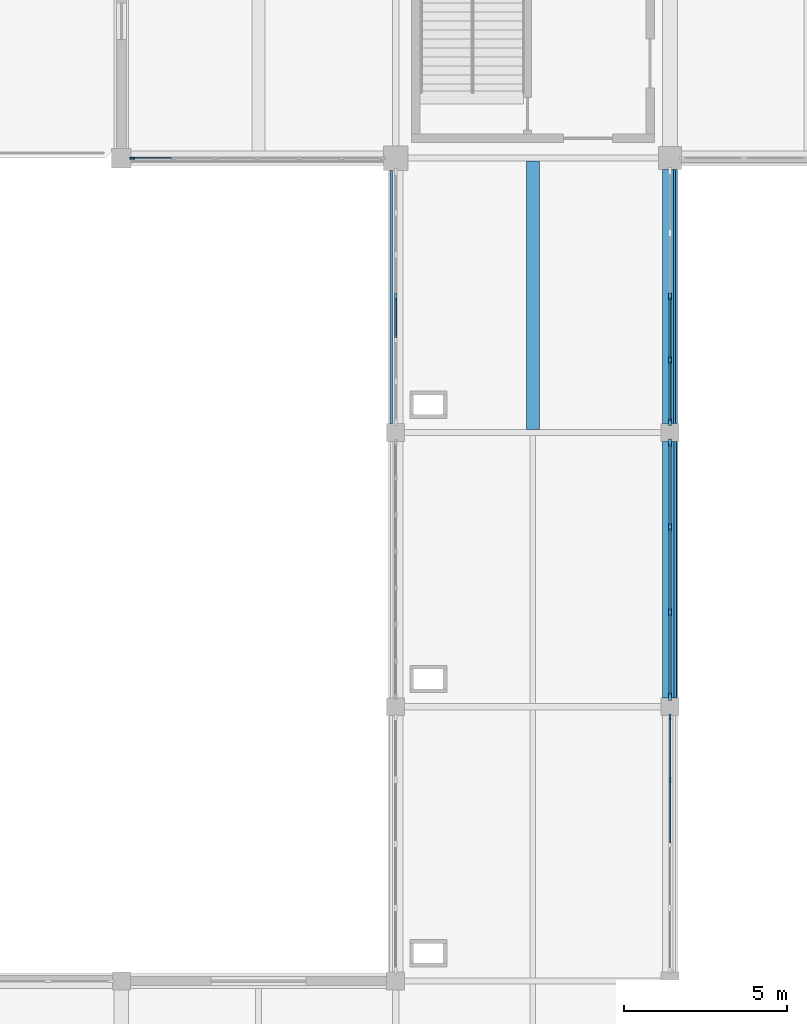
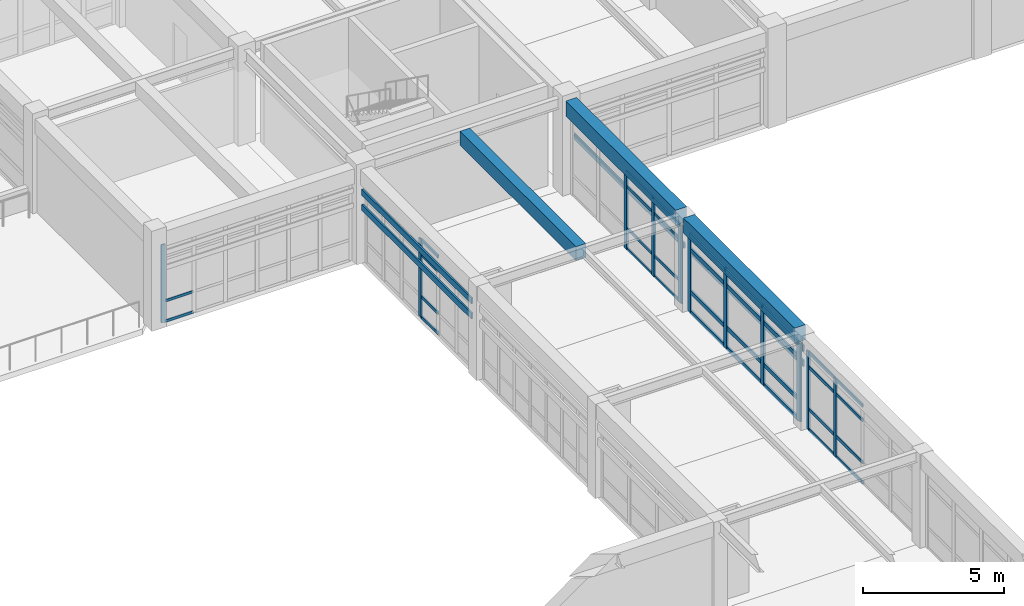
# One storey, part 10 of 40: 51 members, 3 beams, 5 elements without a shape of their own.
"""IFC4 building model written with IfcOpenShell, lengths in metres."""

from ifc_helpers import new_model, si_unit, direction, frame, origin, origin_2d, place, context, subcontext, project, spatial, rectangle, extrude, material, layer, layer_set, material_profile, profile_set, type_object, element, aggregate, save


model = new_model("IFC4")

# Units and contexts
model_context = context("Model", 3, precision=1e-05, world=origin(), true_north=direction((0.0, 1.0)))
body_context = subcontext(model_context, "Body", "Model", "MODEL_VIEW")
ifc_project = project(units=[si_unit("LENGTHUNIT", "METRE"), si_unit("AREAUNIT", "SQUARE_METRE"), si_unit("VOLUMEUNIT", "CUBIC_METRE"), si_unit("PLANEANGLEUNIT", "RADIAN"), si_unit("MASSUNIT", "GRAM", prefix="KILO")], contexts=[model_context])

# Site, building, storey
site_placement = place(None, origin())
site = spatial("IfcSite", under=ifc_project, at=site_placement, CompositionType="ELEMENT")
building_placement = place(site_placement, origin())
building = spatial("IfcBuilding", under=site, at=building_placement, Name="Porcellanite Civic Hall", CompositionType="ELEMENT")
storey_placement = place(building_placement, frame((0.0, 0.0, 19.080078125)))
storey = spatial("IfcBuildingStorey", under=building, at=storey_placement, Name="L04", CompositionType="ELEMENT", Elevation=19.080078125)

# Beams
ifc_material_1 = material(Name="Concrete N50 (50 MPa)", Category="concrete")
ifc_material_profile_1 = material_profile(ifc_material_1, rectangle(XDim=0.39990234375, YDim=0.60009765625, at=origin_2d()), Name="RC-400x600")
ifc_profile_set_1 = profile_set([ifc_material_profile_1], Name="Concrete N50 (50 MPa)")
beam_type_1 = type_object("IfcBeamType", Name="BM-RC600", PredefinedType="JOIST", material=ifc_profile_set_1)
beam_1_placement = place(storey_placement, frame((54.60009765625, 92.494384765625, 3.77001953125), z_axis=(0.0, 1.0, 0.0), x_axis=(-1.0, 0.0, 0.0)))
element("IfcBeam", 1, at=beam_1_placement, inside=storey, type_object=beam_type_1, Name="Secondary joist L04 7-12", PredefinedType="JOIST", context=body_context, shape_type="SweptSolid", body=[
    extrude(rectangle(XDim=0.39990234375, YDim=0.60009765625, at=origin_2d()), origin(), (0.0, 0.0, 1.0), 8.211181640625),
])
ifc_material_2 = material(Name="Concrete N50 (50 MPa)", Category="concrete")
ifc_material_profile_2 = material_profile(ifc_material_2, rectangle(XDim=0.449951171875, YDim=0.64990234375, at=origin_2d()), Name="RC-450x650")
ifc_profile_set_2 = profile_set([ifc_material_profile_2], Name="Concrete N50 (50 MPa)")
beam_type_2 = type_object("IfcBeamType", Name="BM-RC650", PredefinedType="SPANDREL", material=ifc_profile_set_2)
beam_2_placement = place(storey_placement, frame((58.800048828125, 84.2744140625, 3.744873046875), z_axis=(0.0, 1.0, 0.0), x_axis=(-1.0, 0.0, 0.0)))
element("IfcBeam", 2, at=beam_2_placement, inside=storey, type_object=beam_type_2, Name="Beam Y L04 8-11", PredefinedType="SPANDREL", context=body_context, shape_type="SweptSolid", body=[
    extrude(rectangle(XDim=0.449951171875, YDim=0.64990234375, at=origin_2d()), origin(), (0.0, 0.0, 1.0), 7.85107421875),
])
beam_3_placement = place(storey_placement, frame((58.800048828125, 92.674560546875, 3.744873046875), z_axis=(0.0, 1.0, 0.0), x_axis=(-1.0, 0.0, 0.0)))
element("IfcBeam", 3, at=beam_3_placement, inside=storey, type_object=beam_type_2, Name="Beam Y L04 8-12", PredefinedType="SPANDREL", context=body_context, shape_type="SweptSolid", body=[
    extrude(rectangle(XDim=0.449951171875, YDim=0.64990234375, at=origin_2d()), origin(), (0.0, 0.0, 1.0), 7.77587890625),
])

# Curtain wall, members
ifc_material_3 = material(Name="Anodised aluminium and solar laminated glass", Category="aluminium")
ifc_layer_1 = layer(ifc_material_3, 0.179931640625)
ifc_layer_set_1 = layer_set([ifc_layer_1], Name="Anodised aluminium and solar laminated glass")
curtain_wall_type_1 = type_object("IfcCurtainWallType", Name="CW-SYS08", PredefinedType="NOTDEFINED", material=ifc_layer_set_1)
curtain_wall_1_placement = place(storey_placement, origin())
curtain_wall_1 = element("IfcCurtainWall", 4, at=curtain_wall_1_placement, inside=storey, type_object=curtain_wall_type_1, Name="Curtain wall CW-244", PredefinedType="NOTDEFINED")
ifc_material_4 = material(Name="Anodised aluminium 6063-T6", Category="aluminium")
ifc_material_profile_3 = material_profile(ifc_material_4, rectangle(XDim=0.080078125, YDim=0.239990234375, at=origin_2d()), Name="AL-80x240")
ifc_profile_set_3 = profile_set([ifc_material_profile_3], Name="Anodised aluminium 6063-T6")
member_type_1 = type_object("IfcMemberType", Name="CWM-01", PredefinedType="MULLION", material=ifc_profile_set_3)
member_1_placement = place(storey_placement, frame((58.800048828125, 92.083984375, 0.0), z_axis=(0.0, 0.0, 1.0), x_axis=(1.0, 0.0, 0.0)))
member_1 = element("IfcMember", 5, at=member_1_placement, type_object=member_type_1, Name="CW-244 mullion 1", PredefinedType="MULLION", context=body_context, shape_type="SweptSolid", body=[
    extrude(rectangle(XDim=0.080078125, YDim=0.239990234375, at=origin_2d()), origin(), (0.0, 0.0, 1.0), 3.369873046875),
])
member_2_placement = place(storey_placement, frame((58.800048828125, 89.508056640625, 0.0), z_axis=(0.0, 0.0, 1.0), x_axis=(1.0, 0.0, 0.0)))
member_2 = element("IfcMember", 6, at=member_2_placement, type_object=member_type_1, Name="CW-244 mullion 2", PredefinedType="MULLION", context=body_context, shape_type="SweptSolid", body=[
    extrude(rectangle(XDim=0.080078125, YDim=0.239990234375, at=origin_2d()), origin(), (0.0, 0.0, 1.0), 3.369873046875),
])
member_3_placement = place(storey_placement, frame((58.800048828125, 86.89208984375, 0.0), z_axis=(0.0, 0.0, 1.0), x_axis=(1.0, 0.0, 0.0)))
member_3 = element("IfcMember", 7, at=member_3_placement, type_object=member_type_1, Name="CW-244 mullion 3", PredefinedType="MULLION", context=body_context, shape_type="SweptSolid", body=[
    extrude(rectangle(XDim=0.080078125, YDim=0.239990234375, at=origin_2d()), origin(), (0.0, 0.0, 1.0), 3.369873046875),
])
member_4_placement = place(storey_placement, frame((58.800048828125, 84.31591796875, 0.0), z_axis=(0.0, 0.0, 1.0), x_axis=(1.0, 0.0, 0.0)))
member_4 = element("IfcMember", 8, at=member_4_placement, type_object=member_type_1, Name="CW-244 mullion 4", PredefinedType="MULLION", context=body_context, shape_type="SweptSolid", body=[
    extrude(rectangle(XDim=0.080078125, YDim=0.239990234375, at=origin_2d()), origin(), (0.0, 0.0, 1.0), 3.369873046875),
])

ifc_material_5 = material(Name="Anodised aluminium and solar laminated glass", Category="aluminium")
ifc_layer_2 = layer(ifc_material_5, 0.179931640625)
ifc_layer_set_2 = layer_set([ifc_layer_2], Name="Anodised aluminium and solar laminated glass")
curtain_wall_type_2 = type_object("IfcCurtainWallType", Name="CW-SYS03", PredefinedType="NOTDEFINED", material=ifc_layer_set_2)
curtain_wall_2_placement = place(storey_placement, origin())
curtain_wall_2 = element("IfcCurtainWall", 9, at=curtain_wall_2_placement, inside=storey, type_object=curtain_wall_type_2, Name="Curtain wall CW-246", PredefinedType="NOTDEFINED")
ifc_material_6 = material(Name="Anodised aluminium 6063-T6", Category="aluminium")
ifc_material_profile_4 = material_profile(ifc_material_6, rectangle(XDim=0.080078125, YDim=0.2099609375, at=origin_2d()), Name="AL-80x210")
ifc_profile_set_4 = profile_set([ifc_material_profile_4], Name="Anodised aluminium 6063-T6")
member_type_2 = type_object("IfcMemberType", Name="CWM-02", PredefinedType="MULLION", material=ifc_profile_set_4)
member_5_placement = place(storey_placement, frame((58.800048828125, 96.5625, 0.0), z_axis=(0.0, 0.0, 1.0), x_axis=(1.0, 0.0, 0.0)))
member_5 = element("IfcMember", 10, at=member_5_placement, type_object=member_type_2, Name="CW-246 mullion 3", PredefinedType="MULLION", context=body_context, shape_type="SweptSolid", body=[
    extrude(rectangle(XDim=0.080078125, YDim=0.2099609375, at=origin_2d()), origin(), (0.0, 0.0, 1.0), 3.369873046875),
])
member_6_placement = place(storey_placement, frame((58.800048828125, 94.619140625, 0.0), z_axis=(0.0, 0.0, 1.0), x_axis=(1.0, 0.0, 0.0)))
member_6 = element("IfcMember", 11, at=member_6_placement, type_object=member_type_2, Name="CW-246 mullion 4", PredefinedType="MULLION", context=body_context, shape_type="SweptSolid", body=[
    extrude(rectangle(XDim=0.080078125, YDim=0.2099609375, at=origin_2d()), origin(), (0.0, 0.0, 1.0), 3.369873046875),
])
member_7_placement = place(storey_placement, frame((58.800048828125, 92.716064453125, 0.0), z_axis=(0.0, 0.0, 1.0), x_axis=(1.0, 0.0, 0.0)))
member_7 = element("IfcMember", 12, at=member_7_placement, type_object=member_type_2, Name="CW-246 mullion 5", PredefinedType="MULLION", context=body_context, shape_type="SweptSolid", body=[
    extrude(rectangle(XDim=0.080078125, YDim=0.2099609375, at=origin_2d()), origin(), (0.0, 0.0, 1.0), 3.369873046875),
])

# Curtain wall, member
ifc_material_7 = material(Name="Anodised aluminium and solar laminated glass", Category="aluminium")
ifc_layer_3 = layer(ifc_material_7, 0.179931640625)
ifc_layer_set_3 = layer_set([ifc_layer_3], Name="Anodised aluminium and solar laminated glass")
curtain_wall_type_3 = type_object("IfcCurtainWallType", Name="CW-SYS01", PredefinedType="NOTDEFINED", material=ifc_layer_set_3)
curtain_wall_3_placement = place(storey_placement, origin())
curtain_wall_3 = element("IfcCurtainWall", 13, at=curtain_wall_3_placement, inside=storey, type_object=curtain_wall_type_3, Name="Curtain wall CW-245", PredefinedType="NOTDEFINED")
ifc_material_8 = material(Name="Anodised aluminium 6063-T6", Category="aluminium")
ifc_material_profile_5 = material_profile(ifc_material_8, rectangle(XDim=0.070068359375, YDim=0.199951171875, at=origin_2d()), Name="AL-70x200")
ifc_profile_set_5 = profile_set([ifc_material_profile_5], Name="Anodised aluminium 6063-T6")
member_type_3 = type_object("IfcMemberType", Name="CWM-05", PredefinedType="MULLION", material=ifc_profile_set_5)
member_8_placement = place(storey_placement, frame((50.39990234375, 96.550048828125, 0.0), z_axis=(0.0, 0.0, 1.0), x_axis=(-1.0, 0.0, 0.0)))
member_8 = element("IfcMember", 14, at=member_8_placement, type_object=member_type_3, Name="CW-245 mullion 4", PredefinedType="MULLION", context=body_context, shape_type="SweptSolid", body=[
    extrude(rectangle(XDim=0.070068359375, YDim=0.199951171875, at=origin_2d()), origin(), (0.0, 0.0, 1.0), 3.369873046875),
])

# Curtain wall, members
ifc_material_9 = material(Name="Anodised aluminium and solar laminated glass", Category="aluminium")
ifc_layer_4 = layer(ifc_material_9, 0.179931640625)
ifc_layer_set_4 = layer_set([ifc_layer_4], Name="Anodised aluminium and solar laminated glass")
curtain_wall_type_4 = type_object("IfcCurtainWallType", Name="CW-SYS06", PredefinedType="NOTDEFINED", material=ifc_layer_set_4)
curtain_wall_4_placement = place(storey_placement, origin())
curtain_wall_4 = element("IfcCurtainWall", 15, at=curtain_wall_4_placement, inside=storey, type_object=curtain_wall_type_4, Name="Curtain wall CW-242", PredefinedType="NOTDEFINED")
ifc_material_10 = material(Name="Anodised aluminium 6063-T6", Category="aluminium")
ifc_material_profile_6 = material_profile(ifc_material_10, rectangle(XDim=0.06494140625, YDim=0.179931640625, at=origin_2d()), Name="AL-65x180")
ifc_profile_set_6 = profile_set([ifc_material_profile_6], Name="Anodised aluminium 6063-T6")
member_type_4 = type_object("IfcMemberType", Name="CWM-06", PredefinedType="MULLION", material=ifc_profile_set_6)
member_9_placement = place(storey_placement, frame((58.800048828125, 83.69140625, 0.0), z_axis=(0.0, 0.0, 1.0), x_axis=(1.0, 0.0, 0.0)))
member_9 = element("IfcMember", 16, at=member_9_placement, type_object=member_type_4, Name="CW-242 mullion 1", PredefinedType="MULLION", context=body_context, shape_type="SweptSolid", body=[
    extrude(rectangle(XDim=0.06494140625, YDim=0.179931640625, at=origin_2d()), origin(), (0.0, 0.0, 1.0), 3.369873046875),
])
member_10_placement = place(storey_placement, frame((58.800048828125, 81.761962890625, 0.0), z_axis=(0.0, 0.0, 1.0), x_axis=(1.0, 0.0, 0.0)))
member_10 = element("IfcMember", 17, at=member_10_placement, type_object=member_type_4, Name="CW-242 mullion 2", PredefinedType="MULLION", context=body_context, shape_type="SweptSolid", body=[
    extrude(rectangle(XDim=0.06494140625, YDim=0.179931640625, at=origin_2d()), origin(), (0.0, 0.0, 1.0), 3.369873046875),
])

# Curtain wall, member
ifc_material_11 = material(Name="Anodised aluminium and solar laminated glass", Category="aluminium")
ifc_layer_5 = layer(ifc_material_11, 0.179931640625)
ifc_layer_set_5 = layer_set([ifc_layer_5], Name="Anodised aluminium and solar laminated glass")
curtain_wall_type_5 = type_object("IfcCurtainWallType", Name="CW-SYS07", PredefinedType="NOTDEFINED", material=ifc_layer_set_5)
curtain_wall_5_placement = place(storey_placement, origin())
curtain_wall_5 = element("IfcCurtainWall", 18, at=curtain_wall_5_placement, inside=storey, type_object=curtain_wall_type_5, Name="Curtain wall CW-237", PredefinedType="NOTDEFINED")
ifc_material_12 = material(Name="Anodised aluminium 6063-T6", Category="aluminium")
ifc_material_profile_7 = material_profile(ifc_material_12, rectangle(XDim=0.06005859375, YDim=0.159912109375, at=origin_2d()), Name="AL-60x160")
ifc_profile_set_7 = profile_set([ifc_material_profile_7], Name="Anodised aluminium 6063-T6")
member_type_5 = type_object("IfcMemberType", Name="CWM-07", PredefinedType="MULLION", material=ifc_profile_set_7)
member_11_placement = place(storey_placement, frame((42.3310546875, 100.800048828125, 0.0), z_axis=(0.0, 0.0, 1.0), x_axis=(0.0, -1.0, 0.0)))
member_11 = element("IfcMember", 19, at=member_11_placement, type_object=member_type_5, Name="CW-237 mullion 7", PredefinedType="MULLION", context=body_context, shape_type="SweptSolid", body=[
    extrude(rectangle(XDim=0.06005859375, YDim=0.159912109375, at=origin_2d()), origin(), (0.0, 0.0, 1.0), 3.369873046875),
])

# Member
ifc_material_13 = material(Name="Anodised aluminium 6063-T6", Category="aluminium")
ifc_material_profile_8 = material_profile(ifc_material_13, rectangle(XDim=0.070068359375, YDim=0.175048828125, at=origin_2d()), Name="AL-70x175")
ifc_profile_set_8 = profile_set([ifc_material_profile_8], Name="Anodised aluminium 6063-T6")
member_type_6 = type_object("IfcMemberType", Name="CWT-01", PredefinedType="USERDEFINED", material=ifc_profile_set_8)
member_12_placement = place(storey_placement, frame((58.800048828125, 92.0439453125, 0.034912109375), z_axis=(0.0, -1.0, 0.0), x_axis=(1.0, 0.0, 0.0)))
member_12 = element("IfcMember", 20, at=member_12_placement, type_object=member_type_6, Name="CW-244 transom 1.1", ObjectType="TRANSOM", PredefinedType="USERDEFINED", context=body_context, shape_type="SweptSolid", body=[
    extrude(rectangle(XDim=0.070068359375, YDim=0.175048828125, at=origin_2d()), origin(), (0.0, 0.0, 1.0), 2.495849609375),
])

member_13_placement = place(storey_placement, frame((58.800048828125, 92.0439453125, 0.89990234375), z_axis=(0.0, -1.0, 0.0), x_axis=(1.0, 0.0, 0.0)))
member_13 = element("IfcMember", 21, at=member_13_placement, type_object=member_type_6, Name="CW-244 transom 1.2", ObjectType="TRANSOM", PredefinedType="USERDEFINED", context=body_context, shape_type="SweptSolid", body=[
    extrude(rectangle(XDim=0.070068359375, YDim=0.175048828125, at=origin_2d()), origin(), (0.0, 0.0, 1.0), 2.495849609375),
])

member_14_placement = place(storey_placement, frame((58.800048828125, 92.0439453125, 2.719970703125), z_axis=(0.0, -1.0, 0.0), x_axis=(1.0, 0.0, 0.0)))
member_14 = element("IfcMember", 22, at=member_14_placement, type_object=member_type_6, Name="CW-244 transom 1.3", ObjectType="TRANSOM", PredefinedType="USERDEFINED", context=body_context, shape_type="SweptSolid", body=[
    extrude(rectangle(XDim=0.070068359375, YDim=0.175048828125, at=origin_2d()), origin(), (0.0, 0.0, 1.0), 2.495849609375),
])

member_15_placement = place(storey_placement, frame((58.800048828125, 92.0439453125, 3.3349609375), z_axis=(0.0, -1.0, 0.0), x_axis=(1.0, 0.0, 0.0)))
member_15 = element("IfcMember", 23, at=member_15_placement, type_object=member_type_6, Name="CW-244 transom 1.4", ObjectType="TRANSOM", PredefinedType="USERDEFINED", context=body_context, shape_type="SweptSolid", body=[
    extrude(rectangle(XDim=0.070068359375, YDim=0.175048828125, at=origin_2d()), origin(), (0.0, 0.0, 1.0), 2.495849609375),
])

member_16_placement = place(storey_placement, frame((58.800048828125, 89.468017578125, 0.034912109375), z_axis=(0.0, -1.0, 0.0), x_axis=(1.0, 0.0, 0.0)))
member_16 = element("IfcMember", 24, at=member_16_placement, type_object=member_type_6, Name="CW-244 transom 2.1", ObjectType="TRANSOM", PredefinedType="USERDEFINED", context=body_context, shape_type="SweptSolid", body=[
    extrude(rectangle(XDim=0.070068359375, YDim=0.175048828125, at=origin_2d()), origin(), (0.0, 0.0, 1.0), 2.5361328125),
])

member_17_placement = place(storey_placement, frame((58.800048828125, 89.468017578125, 0.89990234375), z_axis=(0.0, -1.0, 0.0), x_axis=(1.0, 0.0, 0.0)))
member_17 = element("IfcMember", 25, at=member_17_placement, type_object=member_type_6, Name="CW-244 transom 2.2", ObjectType="TRANSOM", PredefinedType="USERDEFINED", context=body_context, shape_type="SweptSolid", body=[
    extrude(rectangle(XDim=0.070068359375, YDim=0.175048828125, at=origin_2d()), origin(), (0.0, 0.0, 1.0), 2.5361328125),
])

member_18_placement = place(storey_placement, frame((58.800048828125, 89.468017578125, 2.719970703125), z_axis=(0.0, -1.0, 0.0), x_axis=(1.0, 0.0, 0.0)))
member_18 = element("IfcMember", 26, at=member_18_placement, type_object=member_type_6, Name="CW-244 transom 2.3", ObjectType="TRANSOM", PredefinedType="USERDEFINED", context=body_context, shape_type="SweptSolid", body=[
    extrude(rectangle(XDim=0.070068359375, YDim=0.175048828125, at=origin_2d()), origin(), (0.0, 0.0, 1.0), 2.5361328125),
])

member_19_placement = place(storey_placement, frame((58.800048828125, 89.468017578125, 3.3349609375), z_axis=(0.0, -1.0, 0.0), x_axis=(1.0, 0.0, 0.0)))
member_19 = element("IfcMember", 27, at=member_19_placement, type_object=member_type_6, Name="CW-244 transom 2.4", ObjectType="TRANSOM", PredefinedType="USERDEFINED", context=body_context, shape_type="SweptSolid", body=[
    extrude(rectangle(XDim=0.070068359375, YDim=0.175048828125, at=origin_2d()), origin(), (0.0, 0.0, 1.0), 2.5361328125),
])

member_20_placement = place(storey_placement, frame((58.800048828125, 86.85205078125, 0.034912109375), z_axis=(0.0, -1.0, 0.0), x_axis=(1.0, 0.0, 0.0)))
member_20 = element("IfcMember", 28, at=member_20_placement, type_object=member_type_6, Name="CW-244 transom 3.1", ObjectType="TRANSOM", PredefinedType="USERDEFINED", context=body_context, shape_type="SweptSolid", body=[
    extrude(rectangle(XDim=0.070068359375, YDim=0.175048828125, at=origin_2d()), origin(), (0.0, 0.0, 1.0), 2.49609375),
])

member_21_placement = place(storey_placement, frame((58.800048828125, 86.85205078125, 0.89990234375), z_axis=(0.0, -1.0, 0.0), x_axis=(1.0, 0.0, 0.0)))
member_21 = element("IfcMember", 29, at=member_21_placement, type_object=member_type_6, Name="CW-244 transom 3.2", ObjectType="TRANSOM", PredefinedType="USERDEFINED", context=body_context, shape_type="SweptSolid", body=[
    extrude(rectangle(XDim=0.070068359375, YDim=0.175048828125, at=origin_2d()), origin(), (0.0, 0.0, 1.0), 2.49609375),
])

member_22_placement = place(storey_placement, frame((58.800048828125, 86.85205078125, 2.719970703125), z_axis=(0.0, -1.0, 0.0), x_axis=(1.0, 0.0, 0.0)))
member_22 = element("IfcMember", 30, at=member_22_placement, type_object=member_type_6, Name="CW-244 transom 3.3", ObjectType="TRANSOM", PredefinedType="USERDEFINED", context=body_context, shape_type="SweptSolid", body=[
    extrude(rectangle(XDim=0.070068359375, YDim=0.175048828125, at=origin_2d()), origin(), (0.0, 0.0, 1.0), 2.49609375),
])

member_23_placement = place(storey_placement, frame((58.800048828125, 86.85205078125, 3.3349609375), z_axis=(0.0, -1.0, 0.0), x_axis=(1.0, 0.0, 0.0)))
member_23 = element("IfcMember", 31, at=member_23_placement, type_object=member_type_6, Name="CW-244 transom 3.4", ObjectType="TRANSOM", PredefinedType="USERDEFINED", context=body_context, shape_type="SweptSolid", body=[
    extrude(rectangle(XDim=0.070068359375, YDim=0.175048828125, at=origin_2d()), origin(), (0.0, 0.0, 1.0), 2.49609375),
])

aggregate(curtain_wall_1, [member_1, member_2, member_3, member_4, member_12, member_13, member_14, member_15, member_16, member_17, member_18, member_19, member_20, member_21, member_22, member_23])

ifc_material_14 = material(Name="Anodised aluminium 6063-T6", Category="aluminium")
ifc_material_profile_9 = material_profile(ifc_material_14, rectangle(XDim=0.06005859375, YDim=0.1298828125, at=origin_2d()), Name="AL-60x130")
ifc_profile_set_9 = profile_set([ifc_material_profile_9], Name="Anodised aluminium 6063-T6")
member_type_7 = type_object("IfcMemberType", Name="CWT-03", PredefinedType="USERDEFINED", material=ifc_profile_set_9)
member_24_placement = place(storey_placement, frame((50.39990234375, 95.293701171875, 0.030029296875), z_axis=(0.0, 1.0, 0.0), x_axis=(-1.0, 0.0, 0.0)))
member_24 = element("IfcMember", 32, at=member_24_placement, type_object=member_type_7, Name="CW-245 transom 3.1", ObjectType="TRANSOM", PredefinedType="USERDEFINED", context=body_context, shape_type="SweptSolid", body=[
    extrude(rectangle(XDim=0.06005859375, YDim=0.1298828125, at=origin_2d()), origin(), (0.0, 0.0, 1.0), 1.22119140625),
])

member_25_placement = place(storey_placement, frame((50.39990234375, 95.293701171875, 0.89990234375), z_axis=(0.0, 1.0, 0.0), x_axis=(-1.0, 0.0, 0.0)))
member_25 = element("IfcMember", 33, at=member_25_placement, type_object=member_type_7, Name="CW-245 transom 3.2", ObjectType="TRANSOM", PredefinedType="USERDEFINED", context=body_context, shape_type="SweptSolid", body=[
    extrude(rectangle(XDim=0.06005859375, YDim=0.1298828125, at=origin_2d()), origin(), (0.0, 0.0, 1.0), 1.22119140625),
])

member_26_placement = place(storey_placement, frame((50.39990234375, 95.293701171875, 2.719970703125), z_axis=(0.0, 1.0, 0.0), x_axis=(-1.0, 0.0, 0.0)))
member_26 = element("IfcMember", 34, at=member_26_placement, type_object=member_type_7, Name="CW-245 transom 3.3", ObjectType="TRANSOM", PredefinedType="USERDEFINED", context=body_context, shape_type="SweptSolid", body=[
    extrude(rectangle(XDim=0.06005859375, YDim=0.1298828125, at=origin_2d()), origin(), (0.0, 0.0, 1.0), 1.22119140625),
])

member_27_placement = place(storey_placement, frame((50.39990234375, 95.293701171875, 3.33984375), z_axis=(0.0, 1.0, 0.0), x_axis=(-1.0, 0.0, 0.0)))
member_27 = element("IfcMember", 35, at=member_27_placement, type_object=member_type_7, Name="CW-245 transom 3.4", ObjectType="TRANSOM", PredefinedType="USERDEFINED", context=body_context, shape_type="SweptSolid", body=[
    extrude(rectangle(XDim=0.06005859375, YDim=0.1298828125, at=origin_2d()), origin(), (0.0, 0.0, 1.0), 1.22119140625),
])

aggregate(curtain_wall_3, [member_8, member_24, member_25, member_26, member_27])

ifc_material_15 = material(Name="Anodised aluminium 6063-T6", Category="aluminium")
ifc_material_profile_10 = material_profile(ifc_material_15, rectangle(XDim=0.054931640625, YDim=0.1201171875, at=origin_2d()), Name="AL-55x120")
ifc_profile_set_10 = profile_set([ifc_material_profile_10], Name="Anodised aluminium 6063-T6")
member_type_8 = type_object("IfcMemberType", Name="CWT-04", PredefinedType="USERDEFINED", material=ifc_profile_set_10)
member_28_placement = place(storey_placement, frame((58.800048828125, 96.5224609375, 0.02734375), z_axis=(0.0, -1.0, 0.0), x_axis=(1.0, 0.0, 0.0)))
member_28 = element("IfcMember", 36, at=member_28_placement, type_object=member_type_8, Name="CW-246 transom 3.1", ObjectType="TRANSOM", PredefinedType="USERDEFINED", context=body_context, shape_type="SweptSolid", body=[
    extrude(rectangle(XDim=0.054931640625, YDim=0.1201171875, at=origin_2d()), origin(), (0.0, 0.0, 1.0), 1.86328125),
])

member_29_placement = place(storey_placement, frame((58.800048828125, 96.5224609375, 0.89990234375), z_axis=(0.0, -1.0, 0.0), x_axis=(1.0, 0.0, 0.0)))
member_29 = element("IfcMember", 37, at=member_29_placement, type_object=member_type_8, Name="CW-246 transom 3.2", ObjectType="TRANSOM", PredefinedType="USERDEFINED", context=body_context, shape_type="SweptSolid", body=[
    extrude(rectangle(XDim=0.054931640625, YDim=0.1201171875, at=origin_2d()), origin(), (0.0, 0.0, 1.0), 1.86328125),
])

member_30_placement = place(storey_placement, frame((58.800048828125, 96.5224609375, 2.719970703125), z_axis=(0.0, -1.0, 0.0), x_axis=(1.0, 0.0, 0.0)))
member_30 = element("IfcMember", 38, at=member_30_placement, type_object=member_type_8, Name="CW-246 transom 3.3", ObjectType="TRANSOM", PredefinedType="USERDEFINED", context=body_context, shape_type="SweptSolid", body=[
    extrude(rectangle(XDim=0.054931640625, YDim=0.1201171875, at=origin_2d()), origin(), (0.0, 0.0, 1.0), 1.86328125),
])

member_31_placement = place(storey_placement, frame((58.800048828125, 96.5224609375, 3.342529296875), z_axis=(0.0, -1.0, 0.0), x_axis=(1.0, 0.0, 0.0)))
member_31 = element("IfcMember", 39, at=member_31_placement, type_object=member_type_8, Name="CW-246 transom 3.4", ObjectType="TRANSOM", PredefinedType="USERDEFINED", context=body_context, shape_type="SweptSolid", body=[
    extrude(rectangle(XDim=0.054931640625, YDim=0.1201171875, at=origin_2d()), origin(), (0.0, 0.0, 1.0), 1.86328125),
])

member_32_placement = place(storey_placement, frame((58.800048828125, 94.579345703125, 0.02734375), z_axis=(0.0, -1.0, 0.0), x_axis=(1.0, 0.0, 0.0)))
member_32 = element("IfcMember", 40, at=member_32_placement, type_object=member_type_8, Name="CW-246 transom 4.1", ObjectType="TRANSOM", PredefinedType="USERDEFINED", context=body_context, shape_type="SweptSolid", body=[
    extrude(rectangle(XDim=0.054931640625, YDim=0.1201171875, at=origin_2d()), origin(), (0.0, 0.0, 1.0), 1.8232421875),
])

member_33_placement = place(storey_placement, frame((58.800048828125, 94.579345703125, 0.89990234375), z_axis=(0.0, -1.0, 0.0), x_axis=(1.0, 0.0, 0.0)))
member_33 = element("IfcMember", 41, at=member_33_placement, type_object=member_type_8, Name="CW-246 transom 4.2", ObjectType="TRANSOM", PredefinedType="USERDEFINED", context=body_context, shape_type="SweptSolid", body=[
    extrude(rectangle(XDim=0.054931640625, YDim=0.1201171875, at=origin_2d()), origin(), (0.0, 0.0, 1.0), 1.8232421875),
])

member_34_placement = place(storey_placement, frame((58.800048828125, 94.579345703125, 2.719970703125), z_axis=(0.0, -1.0, 0.0), x_axis=(1.0, 0.0, 0.0)))
member_34 = element("IfcMember", 42, at=member_34_placement, type_object=member_type_8, Name="CW-246 transom 4.3", ObjectType="TRANSOM", PredefinedType="USERDEFINED", context=body_context, shape_type="SweptSolid", body=[
    extrude(rectangle(XDim=0.054931640625, YDim=0.1201171875, at=origin_2d()), origin(), (0.0, 0.0, 1.0), 1.8232421875),
])

member_35_placement = place(storey_placement, frame((58.800048828125, 94.579345703125, 3.342529296875), z_axis=(0.0, -1.0, 0.0), x_axis=(1.0, 0.0, 0.0)))
member_35 = element("IfcMember", 43, at=member_35_placement, type_object=member_type_8, Name="CW-246 transom 4.4", ObjectType="TRANSOM", PredefinedType="USERDEFINED", context=body_context, shape_type="SweptSolid", body=[
    extrude(rectangle(XDim=0.054931640625, YDim=0.1201171875, at=origin_2d()), origin(), (0.0, 0.0, 1.0), 1.8232421875),
])

aggregate(curtain_wall_2, [member_5, member_6, member_7, member_28, member_29, member_30, member_31, member_32, member_33, member_34, member_35])

ifc_material_16 = material(Name="Anodised aluminium 6063-T6", Category="aluminium")
ifc_material_profile_11 = material_profile(ifc_material_16, rectangle(XDim=0.050048828125, YDim=0.139892578125, at=origin_2d()), Name="AL-50x140")
ifc_profile_set_11 = profile_set([ifc_material_profile_11], Name="Anodised aluminium 6063-T6")
member_type_9 = type_object("IfcMemberType", Name="CWT-06", PredefinedType="USERDEFINED", material=ifc_profile_set_11)
member_36_placement = place(storey_placement, frame((58.800048828125, 83.658935546875, 0.02490234375), z_axis=(0.0, -1.0, 0.0), x_axis=(1.0, 0.0, 0.0)))
member_36 = element("IfcMember", 44, at=member_36_placement, type_object=member_type_9, Name="CW-242 transom 1.1", ObjectType="TRANSOM", PredefinedType="USERDEFINED", context=body_context, shape_type="SweptSolid", body=[
    extrude(rectangle(XDim=0.050048828125, YDim=0.139892578125, at=origin_2d()), origin(), (0.0, 0.0, 1.0), 1.864501953125),
])

member_37_placement = place(storey_placement, frame((58.800048828125, 83.658935546875, 0.89990234375), z_axis=(0.0, -1.0, 0.0), x_axis=(1.0, 0.0, 0.0)))
member_37 = element("IfcMember", 45, at=member_37_placement, type_object=member_type_9, Name="CW-242 transom 1.2", ObjectType="TRANSOM", PredefinedType="USERDEFINED", context=body_context, shape_type="SweptSolid", body=[
    extrude(rectangle(XDim=0.050048828125, YDim=0.139892578125, at=origin_2d()), origin(), (0.0, 0.0, 1.0), 1.864501953125),
])

member_38_placement = place(storey_placement, frame((58.800048828125, 83.658935546875, 2.719970703125), z_axis=(0.0, -1.0, 0.0), x_axis=(1.0, 0.0, 0.0)))
member_38 = element("IfcMember", 46, at=member_38_placement, type_object=member_type_9, Name="CW-242 transom 1.3", ObjectType="TRANSOM", PredefinedType="USERDEFINED", context=body_context, shape_type="SweptSolid", body=[
    extrude(rectangle(XDim=0.050048828125, YDim=0.139892578125, at=origin_2d()), origin(), (0.0, 0.0, 1.0), 1.864501953125),
])

member_39_placement = place(storey_placement, frame((58.800048828125, 83.658935546875, 3.344970703125), z_axis=(0.0, -1.0, 0.0), x_axis=(1.0, 0.0, 0.0)))
member_39 = element("IfcMember", 47, at=member_39_placement, type_object=member_type_9, Name="CW-242 transom 1.4", ObjectType="TRANSOM", PredefinedType="USERDEFINED", context=body_context, shape_type="SweptSolid", body=[
    extrude(rectangle(XDim=0.050048828125, YDim=0.139892578125, at=origin_2d()), origin(), (0.0, 0.0, 1.0), 1.864501953125),
])

member_40_placement = place(storey_placement, frame((58.800048828125, 81.7294921875, 0.02490234375), z_axis=(0.0, -1.0, 0.0), x_axis=(1.0, 0.0, 0.0)))
member_40 = element("IfcMember", 48, at=member_40_placement, type_object=member_type_9, Name="CW-242 transom 2.1", ObjectType="TRANSOM", PredefinedType="USERDEFINED", context=body_context, shape_type="SweptSolid", body=[
    extrude(rectangle(XDim=0.050048828125, YDim=0.139892578125, at=origin_2d()), origin(), (0.0, 0.0, 1.0), 1.89697265625),
])

member_41_placement = place(storey_placement, frame((58.800048828125, 81.7294921875, 0.89990234375), z_axis=(0.0, -1.0, 0.0), x_axis=(1.0, 0.0, 0.0)))
member_41 = element("IfcMember", 49, at=member_41_placement, type_object=member_type_9, Name="CW-242 transom 2.2", ObjectType="TRANSOM", PredefinedType="USERDEFINED", context=body_context, shape_type="SweptSolid", body=[
    extrude(rectangle(XDim=0.050048828125, YDim=0.139892578125, at=origin_2d()), origin(), (0.0, 0.0, 1.0), 1.89697265625),
])

member_42_placement = place(storey_placement, frame((58.800048828125, 81.7294921875, 2.719970703125), z_axis=(0.0, -1.0, 0.0), x_axis=(1.0, 0.0, 0.0)))
member_42 = element("IfcMember", 50, at=member_42_placement, type_object=member_type_9, Name="CW-242 transom 2.3", ObjectType="TRANSOM", PredefinedType="USERDEFINED", context=body_context, shape_type="SweptSolid", body=[
    extrude(rectangle(XDim=0.050048828125, YDim=0.139892578125, at=origin_2d()), origin(), (0.0, 0.0, 1.0), 1.89697265625),
])

member_43_placement = place(storey_placement, frame((58.800048828125, 81.7294921875, 3.344970703125), z_axis=(0.0, -1.0, 0.0), x_axis=(1.0, 0.0, 0.0)))
member_43 = element("IfcMember", 51, at=member_43_placement, type_object=member_type_9, Name="CW-242 transom 2.4", ObjectType="TRANSOM", PredefinedType="USERDEFINED", context=body_context, shape_type="SweptSolid", body=[
    extrude(rectangle(XDim=0.050048828125, YDim=0.139892578125, at=origin_2d()), origin(), (0.0, 0.0, 1.0), 1.89697265625),
])

aggregate(curtain_wall_4, [member_9, member_10, member_36, member_37, member_38, member_39, member_40, member_41, member_42, member_43])

ifc_material_17 = material(Name="Anodised aluminium 6063-T6", Category="aluminium")
ifc_material_profile_12 = material_profile(ifc_material_17, rectangle(XDim=0.050048828125, YDim=0.110107421875, at=origin_2d()), Name="AL-50x110")
ifc_profile_set_12 = profile_set([ifc_material_profile_12], Name="Anodised aluminium 6063-T6")
member_type_10 = type_object("IfcMemberType", Name="CWT-07", PredefinedType="USERDEFINED", material=ifc_profile_set_12)
member_44_placement = place(storey_placement, frame((43.55810546875, 100.800048828125, 0.02490234375), z_axis=(-1.0, 0.0, 0.0), x_axis=(0.0, -1.0, 0.0)))
member_44 = element("IfcMember", 52, at=member_44_placement, type_object=member_type_10, Name="CW-237 transom 6.1", ObjectType="TRANSOM", PredefinedType="USERDEFINED", context=body_context, shape_type="SweptSolid", body=[
    extrude(rectangle(XDim=0.050048828125, YDim=0.110107421875, at=origin_2d()), origin(), (0.0, 0.0, 1.0), 1.197021484375),
])

member_45_placement = place(storey_placement, frame((43.55810546875, 100.800048828125, 0.89990234375), z_axis=(-1.0, 0.0, 0.0), x_axis=(0.0, -1.0, 0.0)))
member_45 = element("IfcMember", 53, at=member_45_placement, type_object=member_type_10, Name="CW-237 transom 6.2", ObjectType="TRANSOM", PredefinedType="USERDEFINED", context=body_context, shape_type="SweptSolid", body=[
    extrude(rectangle(XDim=0.050048828125, YDim=0.110107421875, at=origin_2d()), origin(), (0.0, 0.0, 1.0), 1.197021484375),
])

aggregate(curtain_wall_5, [member_11, member_44, member_45])

# Members
ifc_material_18 = material(Name="Fluoropolymer bauxite-red aluminium 6063-T6", Category="aluminium")
ifc_material_profile_13 = material_profile(ifc_material_18, rectangle(XDim=0.070068359375, YDim=0.280029296875, at=origin_2d()), Name="AL-70x280")
ifc_profile_set_13 = profile_set([ifc_material_profile_13], Name="Fluoropolymer bauxite-red aluminium 6063-T6")
member_type_11 = type_object("IfcMemberType", Name="LV-BLD05", PredefinedType="USERDEFINED", material=ifc_profile_set_13)
for number, where, z_axis, x_axis, name in (
    (54, (58.95703125, 92.12548828125, 3.06982421875), (0.0, -1.0, 0.0), (1.0, 0.0, 0.0), "Cyclone sunshade louvre L04 E 6-10 1"),
    (55, (58.95703125, 92.12548828125, 2.419921875), (0.0, -1.0, 0.0), (1.0, 0.0, 0.0), "Cyclone sunshade louvre L04 E 6-10 2"),
):
    element("IfcMember", number, at=place(storey_placement, frame(where, z_axis=z_axis, x_axis=x_axis)), inside=storey, type_object=member_type_11, Name=name, ObjectType="LOUVRE BLADE", PredefinedType="USERDEFINED", context=body_context, shape_type="SweptSolid", body=[
        extrude(rectangle(XDim=0.070068359375, YDim=0.280029296875, at=origin_2d()), origin(), (0.0, 0.0, 1.0), 7.85107421875),
    ])
ifc_material_19 = material(Name="Fluoropolymer bauxite-red aluminium 6063-T6", Category="aluminium")
ifc_material_profile_14 = material_profile(ifc_material_19, rectangle(XDim=0.070068359375, YDim=0.260009765625, at=origin_2d()), Name="AL-70x260")
ifc_profile_set_14 = profile_set([ifc_material_profile_14], Name="Fluoropolymer bauxite-red aluminium 6063-T6")
member_type_12 = type_object("IfcMemberType", Name="LV-BLD06", PredefinedType="USERDEFINED", material=ifc_profile_set_14)
for number, where, z_axis, x_axis, name in (
    (56, (50.262939453125, 92.674560546875, 3.06982421875), (0.0, 1.0, 0.0), (-1.0, 0.0, 0.0), "Cyclone sunshade louvre L04 W 6-11 1"),
    (57, (50.262939453125, 92.674560546875, 2.419921875), (0.0, 1.0, 0.0), (-1.0, 0.0, 0.0), "Cyclone sunshade louvre L04 W 6-11 2"),
):
    element("IfcMember", number, at=place(storey_placement, frame(where, z_axis=z_axis, x_axis=x_axis)), inside=storey, type_object=member_type_12, Name=name, ObjectType="LOUVRE BLADE", PredefinedType="USERDEFINED", context=body_context, shape_type="SweptSolid", body=[
        extrude(rectangle(XDim=0.070068359375, YDim=0.260009765625, at=origin_2d()), origin(), (0.0, 0.0, 1.0), 7.7509765625),
    ])
ifc_material_20 = material(Name="Fluoropolymer bauxite-red aluminium 6063-T6", Category="aluminium")
ifc_material_profile_15 = material_profile(ifc_material_20, rectangle(XDim=0.06494140625, YDim=0.239990234375, at=origin_2d()), Name="AL-65x240")
ifc_profile_set_15 = profile_set([ifc_material_profile_15], Name="Fluoropolymer bauxite-red aluminium 6063-T6")
member_type_13 = type_object("IfcMemberType", Name="LV-BLD07", PredefinedType="USERDEFINED", material=ifc_profile_set_15)
for number, where, z_axis, x_axis, name in (
    (58, (58.939453125, 100.450439453125, 3.06982421875), (0.0, -1.0, 0.0), (1.0, 0.0, 0.0), "Cyclone sunshade louvre L04 E 6-11 1"),
    (59, (58.939453125, 100.450439453125, 2.419921875), (0.0, -1.0, 0.0), (1.0, 0.0, 0.0), "Cyclone sunshade louvre L04 E 6-11 2"),
):
    element("IfcMember", number, at=place(storey_placement, frame(where, z_axis=z_axis, x_axis=x_axis)), inside=storey, type_object=member_type_13, Name=name, ObjectType="LOUVRE BLADE", PredefinedType="USERDEFINED", context=body_context, shape_type="SweptSolid", body=[
        extrude(rectangle(XDim=0.06494140625, YDim=0.239990234375, at=origin_2d()), origin(), (0.0, 0.0, 1.0), 7.77587890625),
    ])

save(model, "model.ifc")
